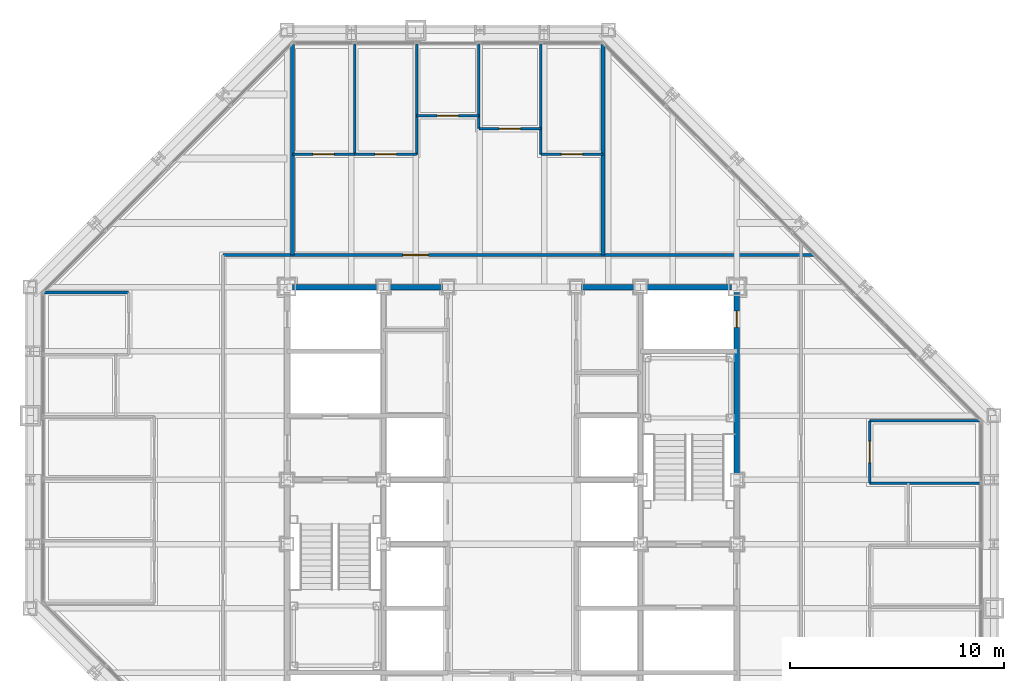
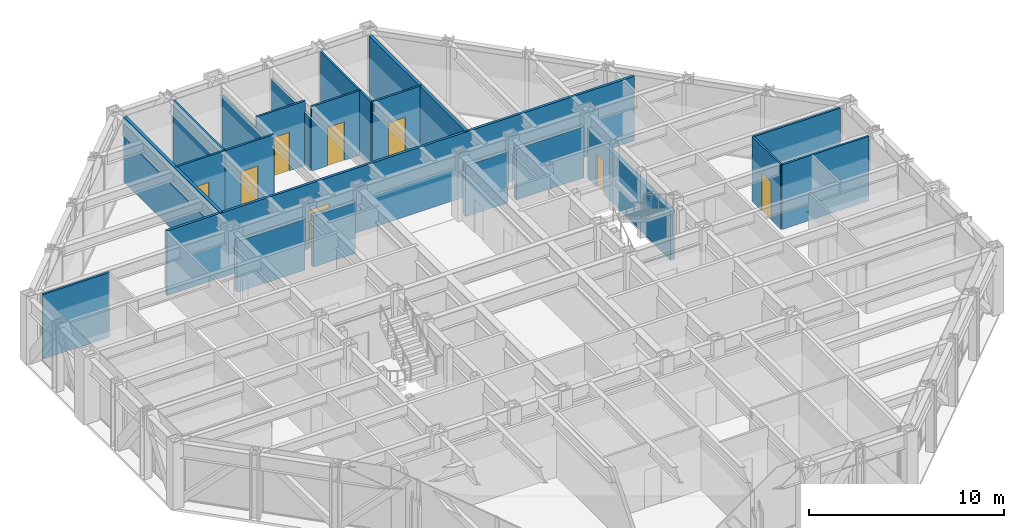
# One storey, part 13 of 16: 21 walls, 8 doors, 8 openings.
"""IFC4 building model written with IfcOpenShell, lengths in metres."""

from ifc_helpers import new_model, si_unit, direction, frame, frame_2d, origin, place, context, subcontext, project, spatial, rectangle, extrude, material, layer, layer_set, type_object, element, fill, save


model = new_model("IFC4")

# Units and contexts
model_context = context("Model", 3, precision=1e-05, world=origin(), true_north=direction((0.0, 1.0)))
body_context = subcontext(model_context, "Body", "Model", "MODEL_VIEW")
ifc_project = project(units=[si_unit("LENGTHUNIT", "METRE"), si_unit("AREAUNIT", "SQUARE_METRE"), si_unit("VOLUMEUNIT", "CUBIC_METRE"), si_unit("PLANEANGLEUNIT", "RADIAN"), si_unit("MASSUNIT", "GRAM", prefix="KILO")], contexts=[model_context])

# Site, building, storey
site_placement = place(None, origin())
site = spatial("IfcSite", under=ifc_project, at=site_placement, CompositionType="ELEMENT")
building_placement = place(site_placement, origin())
building = spatial("IfcBuilding", under=site, at=building_placement, Name="Chuquiago Exchange Tower", CompositionType="ELEMENT")
storey_placement = place(building_placement, frame((0.0, 0.0, 205.5)))
storey = spatial("IfcBuildingStorey", under=building, at=storey_placement, Name="L45", CompositionType="ELEMENT", Elevation=205.5)

# Walls
ifc_material_1 = material(Name="Concrete masonry, fully grouted", Category="masonry")
ifc_layer_1 = layer(ifc_material_1, 0.25)
ifc_layer_set_1 = layer_set([ifc_layer_1], Name="W1 core wall 250")
wall_type_1 = type_object("IfcWallType", Name="W1 core wall 250", PredefinedType="SOLIDWALL", material=ifc_layer_set_1)
wall_1_placement = place(storey_placement, frame((12.25, 33.0, 0.0), z_axis=(0.0, 0.0, 1.0), x_axis=(1.0, 0.0, 0.0)))
element("IfcWall", 1, at=wall_1_placement, inside=storey, type_object=wall_type_1, Name="CW-L45-11-0", PredefinedType="SOLIDWALL", context=body_context, shape_type="SweptSolid", body=[
    extrude(rectangle(XDim=4.0, YDim=0.25, at=frame_2d((2.0, 0.0))), origin(), (0.0, 0.0, 1.0), 3.181396484375),
])
for number, where, z_axis, x_axis, name in (
    (2, (16.75, 33.0, 0.0), (0.0, 0.0, 1.0), (1.0, 0.0, 0.0), "CW-L45-11-1"),
    (3, (25.75, 33.0, 0.0), (0.0, 0.0, 1.0), (1.0, 0.0, 0.0), "CW-L45-12-0"),
):
    element("IfcWall", number, at=place(storey_placement, frame(where, z_axis=z_axis, x_axis=x_axis)), inside=storey, type_object=wall_type_1, Name=name, PredefinedType="SOLIDWALL", context=body_context, shape_type="SweptSolid", body=[
        extrude(rectangle(XDim=2.5, YDim=0.25, at=frame_2d((1.25, 0.0))), origin(), (0.0, 0.0, 1.0), 3.181396484375),
    ])
wall_2_placement = place(storey_placement, frame((28.75, 33.0, 0.0), z_axis=(0.0, 0.0, 1.0), x_axis=(1.0, 0.0, 0.0)))
element("IfcWall", 4, at=wall_2_placement, inside=storey, type_object=wall_type_1, Name="CW-L45-12-1", PredefinedType="SOLIDWALL", context=body_context, shape_type="SweptSolid", body=[
    extrude(rectangle(XDim=4.0, YDim=0.25, at=frame_2d((2.0, 0.0))), origin(), (0.0, 0.0, 1.0), 3.181396484375),
])

# Wall, opening, door
wall_3_placement = place(storey_placement, frame((33.0, 24.25, 0.0), z_axis=(0.0, 0.0, 1.0), x_axis=(0.0, 1.0, 0.0)))
wall_3 = element("IfcWall", 5, at=wall_3_placement, inside=storey, type_object=wall_type_1, Name="CW-L45-25-2", PredefinedType="SOLIDWALL", context=body_context, shape_type="SweptSolid", body=[
    extrude(rectangle(XDim=8.5, YDim=0.25, at=frame_2d((4.25, 0.0))), origin(), (0.0, 0.0, 1.0), 3.11279296875),
])
opening_1_placement = place(wall_3_placement, frame((6.875, 0.0, 0.0)))
opening_1 = element("IfcOpeningElement", 6, at=opening_1_placement, cuts=wall_3, Name="Opening L45-010", PredefinedType="OPENING", context=body_context, shape_type="SweptSolid", body=[
    extrude(rectangle(XDim=0.75, YDim=2.10009765625, at=frame_2d((0.375, 1.050048828125))), frame((0.0, 0.135009765625, 0.0), z_axis=(0.0, -1.0, 0.0), x_axis=(1.0, 0.0, 0.0)), (0.0, 0.0, 1.0), 0.27001953125),
])
ifc_material_2 = material(Name="Steel door, painted", Category="steel")
door_type_1 = type_object("IfcDoorType", Name="D6 riser access door 750x2100", OperationType="SINGLE_SWING_LEFT", PredefinedType="DOOR", material=ifc_material_2)
door_1_placement = place(opening_1_placement, frame((0.75, 0.0, 0.0), z_axis=(0.0, 0.0, 1.0), x_axis=(-1.0, 0.0, 0.0)))
door_1 = element("IfcDoor", 7, at=door_1_placement, inside=storey, type_object=door_type_1, Name="Riser RE2 door", OperationType="SINGLE_SWING_LEFT", OverallHeight=2.10009765625, OverallWidth=0.75, PredefinedType="DOOR", context=body_context, shape_type="SweptSolid", body=[
    extrude(rectangle(XDim=0.75, YDim=2.10009765625, at=frame_2d((0.375, 1.050048828125))), frame((0.0, 0.02490234375, 0.0), z_axis=(0.0, -1.0, 0.0), x_axis=(1.0, 0.0, 0.0)), (0.0, 0.0, 1.0), 0.050048828125),
])
fill(opening_1, door_1)

ifc_material_3 = material(Name="Gypsum board on steel studs, acoustic insulation", Category="steel")
ifc_layer_2 = layer(ifc_material_3, 0.14990234375)
ifc_layer_set_2 = layer_set([ifc_layer_2], Name="W11 corridor wall 150")
wall_type_2 = type_object("IfcWallType", Name="W11 corridor wall 150", PredefinedType="PARTITIONING", material=ifc_layer_set_2)
wall_4_placement = place(storey_placement, frame((9.0, 34.5, 0.0), z_axis=(0.0, 0.0, 1.0), x_axis=(1.0, 0.0, 0.0)))
wall_4 = element("IfcWall", 8, at=wall_4_placement, inside=storey, type_object=wall_type_2, Name="PW-L45-CN", PredefinedType="PARTITIONING", context=body_context, shape_type="SweptSolid", body=[
    extrude(rectangle(XDim=27.614501953125, YDim=0.14990234375, at=frame_2d((13.80712890625, 0.0))), origin(), (0.0, 0.0, 1.0), 4.0400390625),
])
opening_2_placement = place(wall_4_placement, frame((8.39990234375, 0.0, 0.0)))
opening_2 = element("IfcOpeningElement", 9, at=opening_2_placement, cuts=wall_4, Name="Opening L45-040", PredefinedType="OPENING", context=body_context, shape_type="SweptSolid", body=[
    extrude(rectangle(XDim=1.199951171875, YDim=2.39990234375, at=frame_2d((0.60009765625, 1.199951171875))), frame((0.0, 0.0849609375, 0.0), z_axis=(0.0, -1.0, 0.0), x_axis=(1.0, 0.0, 0.0)), (0.0, 0.0, 1.0), 0.169921875),
])
ifc_material_4 = material(Name="Timber door, laminate faced", Category="wood")
door_type_2 = type_object("IfcDoorType", Name="D13 suite entrance door 1200x2400", OperationType="SINGLE_SWING_LEFT", PredefinedType="DOOR", material=ifc_material_4)
door_2_placement = place(opening_2_placement, origin())
door_2 = element("IfcDoor", 10, at=door_2_placement, inside=storey, type_object=door_type_2, Name="North suite entrance door", OperationType="SINGLE_SWING_LEFT", OverallHeight=2.39990234375, OverallWidth=1.199951171875, PredefinedType="DOOR", context=body_context, shape_type="SweptSolid", body=[
    extrude(rectangle(XDim=1.199951171875, YDim=2.39990234375, at=frame_2d((0.60009765625, 1.199951171875))), frame((0.0, 0.02490234375, 0.0), z_axis=(0.0, -1.0, 0.0), x_axis=(1.0, 0.0, 0.0)), (0.0, 0.0, 1.0), 0.050048828125),
])
fill(opening_2, door_2)

# Walls
ifc_material_5 = material(Name="Gypsum board on twin steel studs, acoustic insulation", Category="steel")
ifc_layer_3 = layer(ifc_material_5, 0.175048828125)
ifc_layer_set_3 = layer_set([ifc_layer_3], Name="W12 tenant demising wall 175")
wall_type_3 = type_object("IfcWallType", Name="W12 tenant demising wall 175", PredefinedType="PARTITIONING", material=ifc_layer_set_3)
for number, where, z_axis, x_axis, name in (
    (11, (12.24853515625, 44.333984375, 0.0), (0.0, 0.0, 1.0), (0.0, -1.0, 0.0), "PW-L45-DN01225"),
    (12, (26.75146484375, 44.333984375, 0.0), (0.0, 0.0, 1.0), (0.0, -1.0, 0.0), "PW-L45-DN02675"),
):
    element("IfcWall", number, at=place(storey_placement, frame(where, z_axis=z_axis, x_axis=x_axis)), inside=storey, type_object=wall_type_3, Name=name, PredefinedType="PARTITIONING", context=body_context, shape_type="SweptSolid", body=[
        extrude(rectangle(XDim=9.833984375, YDim=0.175048828125, at=frame_2d((4.9169921875, 0.0))), origin(), (0.0, 0.0, 1.0), 4.0400390625),
    ])
ifc_material_6 = material(Name="Gypsum board on steel studs", Category="steel")
ifc_layer_4 = layer(ifc_material_6, 0.1201171875)
ifc_layer_set_4 = layer_set([ifc_layer_4], Name="W4 partition 120")
wall_type_4 = type_object("IfcWallType", Name="W4 partition 120", PredefinedType="PARTITIONING", material=ifc_layer_set_4)
wall_5_placement = place(storey_placement, frame((44.347412109375, 23.850830078125, 0.0), z_axis=(0.0, 0.0, 1.0), x_axis=(-1.0, 0.0, 0.0)))
element("IfcWall", 13, at=wall_5_placement, inside=storey, type_object=wall_type_4, Name="PW-L45-E02385", PredefinedType="PARTITIONING", context=body_context, shape_type="SweptSolid", body=[
    extrude(rectangle(XDim=5.1474609375, YDim=0.1201171875, at=frame_2d((2.57373046875, 0.0))), origin(), (0.0, 0.0, 1.0), 4.0400390625),
])
wall_6_placement = place(storey_placement, frame((44.333984375, 26.75146484375, 0.0), z_axis=(0.0, 0.0, 1.0), x_axis=(-1.0, 0.0, 0.0)))
element("IfcWall", 14, at=wall_6_placement, inside=storey, type_object=wall_type_4, Name="PW-L45-E02675", PredefinedType="PARTITIONING", context=body_context, shape_type="SweptSolid", body=[
    extrude(rectangle(XDim=5.134033203125, YDim=0.1201171875, at=frame_2d((2.56689453125, 0.0))), origin(), (0.0, 0.0, 1.0), 4.0400390625),
])

# Wall, opening, door
wall_7_placement = place(storey_placement, frame((39.199951171875, 23.850830078125, 0.0), z_axis=(0.0, 0.0, 1.0), x_axis=(0.0, 1.0, 0.0)))
wall_7 = element("IfcWall", 15, at=wall_7_placement, inside=storey, type_object=wall_type_4, Name="PW-L45-EF02385", PredefinedType="PARTITIONING", context=body_context, shape_type="SweptSolid", body=[
    extrude(rectangle(XDim=2.900634765625, YDim=0.1201171875, at=frame_2d((1.4501953125, 0.0))), origin(), (0.0, 0.0, 1.0), 4.0400390625),
])
opening_3_placement = place(wall_7_placement, frame((0.9501953125, 0.0, 0.0)))
opening_3 = element("IfcOpeningElement", 16, at=opening_3_placement, cuts=wall_7, Name="Opening L45-028", PredefinedType="OPENING", context=body_context, shape_type="SweptSolid", body=[
    extrude(rectangle(XDim=1.0, YDim=2.39990234375, at=frame_2d((0.5, 1.199951171875))), frame((0.0, 0.070068359375, 0.0), z_axis=(0.0, -1.0, 0.0), x_axis=(1.0, 0.0, 0.0)), (0.0, 0.0, 1.0), 0.14013671875),
])
ifc_material_7 = material(Name="Timber frame door, full height glazed panel", Category="wood")
door_type_3 = type_object("IfcDoorType", Name="D14 glazed meeting room door 1000x2400", OperationType="SINGLE_SWING_LEFT", PredefinedType="DOOR", material=ifc_material_7)
door_3_placement = place(opening_3_placement, frame((1.0, 0.0, 0.0), z_axis=(0.0, 0.0, 1.0), x_axis=(-1.0, 0.0, 0.0)))
door_3 = element("IfcDoor", 17, at=door_3_placement, inside=storey, type_object=door_type_3, Name="Meeting room door", OperationType="SINGLE_SWING_RIGHT", OverallHeight=2.39990234375, OverallWidth=1.0, PredefinedType="DOOR", context=body_context, shape_type="SweptSolid", body=[
    extrude(rectangle(XDim=1.0, YDim=2.39990234375, at=frame_2d((0.5, 1.199951171875))), frame((0.0, 0.02490234375, 0.0), z_axis=(0.0, -1.0, 0.0), x_axis=(1.0, 0.0, 0.0)), (0.0, 0.0, 1.0), 0.050048828125),
])
fill(opening_3, door_3)

# Walls
wall_8_placement = place(storey_placement, frame((15.149169921875, 44.347412109375, 0.0), z_axis=(0.0, 0.0, 1.0), x_axis=(0.0, -1.0, 0.0)))
element("IfcWall", 18, at=wall_8_placement, inside=storey, type_object=wall_type_4, Name="PW-L45-N01515", PredefinedType="PARTITIONING", context=body_context, shape_type="SweptSolid", body=[
    extrude(rectangle(XDim=5.1474609375, YDim=0.1201171875, at=frame_2d((2.57373046875, 0.0))), origin(), (0.0, 0.0, 1.0), 4.0400390625),
])
wall_9_placement = place(storey_placement, frame((18.0498046875, 44.347412109375, 0.0), z_axis=(0.0, 0.0, 1.0), x_axis=(0.0, -1.0, 0.0)))
element("IfcWall", 19, at=wall_9_placement, inside=storey, type_object=wall_type_4, Name="PW-L45-N01805", PredefinedType="PARTITIONING", context=body_context, shape_type="SweptSolid", body=[
    extrude(rectangle(XDim=5.1474609375, YDim=0.1201171875, at=frame_2d((2.57373046875, 0.0))), origin(), (0.0, 0.0, 1.0), 3.356689453125),
])
wall_10_placement = place(storey_placement, frame((20.9501953125, 44.347412109375, 0.0), z_axis=(0.0, 0.0, 1.0), x_axis=(0.0, -1.0, 0.0)))
element("IfcWall", 20, at=wall_10_placement, inside=storey, type_object=wall_type_4, Name="PW-L45-N02095", PredefinedType="PARTITIONING", context=body_context, shape_type="SweptSolid", body=[
    extrude(rectangle(XDim=3.947509765625, YDim=0.1201171875, at=frame_2d((1.9736328125, 0.0))), origin(), (0.0, 0.0, 1.0), 3.356689453125),
])
wall_11_placement = place(storey_placement, frame((23.850830078125, 44.347412109375, 0.0), z_axis=(0.0, 0.0, 1.0), x_axis=(0.0, -1.0, 0.0)))
element("IfcWall", 21, at=wall_11_placement, inside=storey, type_object=wall_type_4, Name="PW-L45-N02385", PredefinedType="PARTITIONING", context=body_context, shape_type="SweptSolid", body=[
    extrude(rectangle(XDim=5.1474609375, YDim=0.1201171875, at=frame_2d((2.57373046875, 0.0))), origin(), (0.0, 0.0, 1.0), 4.0400390625),
])

# Wall, opening, door
wall_12_placement = place(storey_placement, frame((12.24853515625, 39.199951171875, 0.0), z_axis=(0.0, 0.0, 1.0), x_axis=(1.0, 0.0, 0.0)))
wall_12 = element("IfcWall", 22, at=wall_12_placement, inside=storey, type_object=wall_type_4, Name="PW-L45-NF01225", PredefinedType="PARTITIONING", context=body_context, shape_type="SweptSolid", body=[
    extrude(rectangle(XDim=2.900634765625, YDim=0.1201171875, at=frame_2d((1.4501953125, 0.0))), origin(), (0.0, 0.0, 1.0), 4.0400390625),
])
opening_4_placement = place(wall_12_placement, frame((0.9501953125, 0.0, 0.0)))
opening_4 = element("IfcOpeningElement", 23, at=opening_4_placement, cuts=wall_12, Name="Opening L45-029", PredefinedType="OPENING", context=body_context, shape_type="SweptSolid", body=[
    extrude(rectangle(XDim=1.0, YDim=2.39990234375, at=frame_2d((0.5, 1.199951171875))), frame((0.0, 0.070068359375, 0.0), z_axis=(0.0, -1.0, 0.0), x_axis=(1.0, 0.0, 0.0)), (0.0, 0.0, 1.0), 0.14013671875),
])
ifc_material_8 = material(Name="Timber door, laminate faced", Category="wood")
door_type_4 = type_object("IfcDoorType", Name="D9 room door 1000x2400", OperationType="SINGLE_SWING_LEFT", PredefinedType="DOOR", material=ifc_material_8)
door_4_placement = place(opening_4_placement, origin())
door_4 = element("IfcDoor", 24, at=door_4_placement, inside=storey, type_object=door_type_4, Name="Office door", OperationType="SINGLE_SWING_LEFT", OverallHeight=2.39990234375, OverallWidth=1.0, PredefinedType="DOOR", context=body_context, shape_type="SweptSolid", body=[
    extrude(rectangle(XDim=1.0, YDim=2.39990234375, at=frame_2d((0.5, 1.199951171875))), frame((0.0, 0.02490234375, 0.0), z_axis=(0.0, -1.0, 0.0), x_axis=(1.0, 0.0, 0.0)), (0.0, 0.0, 1.0), 0.050048828125),
])
fill(opening_4, door_4)

wall_13_placement = place(storey_placement, frame((15.149169921875, 39.199951171875, 0.0), z_axis=(0.0, 0.0, 1.0), x_axis=(1.0, 0.0, 0.0)))
wall_13 = element("IfcWall", 25, at=wall_13_placement, inside=storey, type_object=wall_type_4, Name="PW-L45-NF01515", PredefinedType="PARTITIONING", context=body_context, shape_type="SweptSolid", body=[
    extrude(rectangle(XDim=2.900634765625, YDim=0.1201171875, at=frame_2d((1.4501953125, 0.0))), origin(), (0.0, 0.0, 1.0), 4.0400390625),
])
opening_5_placement = place(wall_13_placement, frame((0.9501953125, 0.0, 0.0)))
opening_5 = element("IfcOpeningElement", 26, at=opening_5_placement, cuts=wall_13, Name="Opening L45-030", PredefinedType="OPENING", context=body_context, shape_type="SweptSolid", body=[
    extrude(rectangle(XDim=1.0, YDim=2.39990234375, at=frame_2d((0.5, 1.199951171875))), frame((0.0, 0.070068359375, 0.0), z_axis=(0.0, -1.0, 0.0), x_axis=(1.0, 0.0, 0.0)), (0.0, 0.0, 1.0), 0.14013671875),
])
door_5_placement = place(opening_5_placement, origin())
door_5 = element("IfcDoor", 27, at=door_5_placement, inside=storey, type_object=door_type_4, Name="Office door", OperationType="SINGLE_SWING_LEFT", OverallHeight=2.39990234375, OverallWidth=1.0, PredefinedType="DOOR", context=body_context, shape_type="SweptSolid", body=[
    extrude(rectangle(XDim=1.0, YDim=2.39990234375, at=frame_2d((0.5, 1.199951171875))), frame((0.0, 0.02490234375, 0.0), z_axis=(0.0, -1.0, 0.0), x_axis=(1.0, 0.0, 0.0)), (0.0, 0.0, 1.0), 0.050048828125),
])
fill(opening_5, door_5)

wall_14_placement = place(storey_placement, frame((18.0498046875, 41.0, 0.0), z_axis=(0.0, 0.0, 1.0), x_axis=(1.0, 0.0, 0.0)))
wall_14 = element("IfcWall", 28, at=wall_14_placement, inside=storey, type_object=wall_type_4, Name="PW-L45-NF01805", PredefinedType="PARTITIONING", context=body_context, shape_type="SweptSolid", body=[
    extrude(rectangle(XDim=2.900390625, YDim=0.1201171875, at=frame_2d((1.4501953125, 0.0))), origin(), (0.0, 0.0, 1.0), 4.0400390625),
])
opening_6_placement = place(wall_14_placement, frame((0.9501953125, 0.0, 0.0)))
opening_6 = element("IfcOpeningElement", 29, at=opening_6_placement, cuts=wall_14, Name="Opening L45-031", PredefinedType="OPENING", context=body_context, shape_type="SweptSolid", body=[
    extrude(rectangle(XDim=1.0, YDim=2.39990234375, at=frame_2d((0.5, 1.199951171875))), frame((0.0, 0.070068359375, 0.0), z_axis=(0.0, -1.0, 0.0), x_axis=(1.0, 0.0, 0.0)), (0.0, 0.0, 1.0), 0.14013671875),
])
door_6_placement = place(opening_6_placement, origin())
door_6 = element("IfcDoor", 30, at=door_6_placement, inside=storey, type_object=door_type_3, Name="Focus room door", OperationType="SINGLE_SWING_RIGHT", OverallHeight=2.39990234375, OverallWidth=1.0, PredefinedType="DOOR", context=body_context, shape_type="SweptSolid", body=[
    extrude(rectangle(XDim=1.0, YDim=2.39990234375, at=frame_2d((0.5, 1.199951171875))), frame((0.0, 0.02490234375, 0.0), z_axis=(0.0, -1.0, 0.0), x_axis=(1.0, 0.0, 0.0)), (0.0, 0.0, 1.0), 0.050048828125),
])
fill(opening_6, door_6)

wall_15_placement = place(storey_placement, frame((20.9501953125, 40.39990234375, 0.0), z_axis=(0.0, 0.0, 1.0), x_axis=(1.0, 0.0, 0.0)))
wall_15 = element("IfcWall", 31, at=wall_15_placement, inside=storey, type_object=wall_type_4, Name="PW-L45-NF02095", PredefinedType="PARTITIONING", context=body_context, shape_type="SweptSolid", body=[
    extrude(rectangle(XDim=2.900634765625, YDim=0.1201171875, at=frame_2d((1.4501953125, 0.0))), origin(), (0.0, 0.0, 1.0), 4.0400390625),
])
opening_7_placement = place(wall_15_placement, frame((0.9501953125, 0.0, 0.0)))
opening_7 = element("IfcOpeningElement", 32, at=opening_7_placement, cuts=wall_15, Name="Opening L45-032", PredefinedType="OPENING", context=body_context, shape_type="SweptSolid", body=[
    extrude(rectangle(XDim=1.0, YDim=2.39990234375, at=frame_2d((0.5, 1.199951171875))), frame((0.0, 0.070068359375, 0.0), z_axis=(0.0, -1.0, 0.0), x_axis=(1.0, 0.0, 0.0)), (0.0, 0.0, 1.0), 0.14013671875),
])
door_7_placement = place(opening_7_placement, origin())
door_7 = element("IfcDoor", 33, at=door_7_placement, inside=storey, type_object=door_type_4, Name="Pantry door", OperationType="SINGLE_SWING_LEFT", OverallHeight=2.39990234375, OverallWidth=1.0, PredefinedType="DOOR", context=body_context, shape_type="SweptSolid", body=[
    extrude(rectangle(XDim=1.0, YDim=2.39990234375, at=frame_2d((0.5, 1.199951171875))), frame((0.0, 0.02490234375, 0.0), z_axis=(0.0, -1.0, 0.0), x_axis=(1.0, 0.0, 0.0)), (0.0, 0.0, 1.0), 0.050048828125),
])
fill(opening_7, door_7)

wall_16_placement = place(storey_placement, frame((23.850830078125, 39.199951171875, 0.0), z_axis=(0.0, 0.0, 1.0), x_axis=(1.0, 0.0, 0.0)))
wall_16 = element("IfcWall", 34, at=wall_16_placement, inside=storey, type_object=wall_type_4, Name="PW-L45-NF02385", PredefinedType="PARTITIONING", context=body_context, shape_type="SweptSolid", body=[
    extrude(rectangle(XDim=2.900634765625, YDim=0.1201171875, at=frame_2d((1.4501953125, 0.0))), origin(), (0.0, 0.0, 1.0), 4.0400390625),
])
opening_8_placement = place(wall_16_placement, frame((0.9501953125, 0.0, 0.0)))
opening_8 = element("IfcOpeningElement", 35, at=opening_8_placement, cuts=wall_16, Name="Opening L45-033", PredefinedType="OPENING", context=body_context, shape_type="SweptSolid", body=[
    extrude(rectangle(XDim=1.0, YDim=2.39990234375, at=frame_2d((0.5, 1.199951171875))), frame((0.0, 0.070068359375, 0.0), z_axis=(0.0, -1.0, 0.0), x_axis=(1.0, 0.0, 0.0)), (0.0, 0.0, 1.0), 0.14013671875),
])
door_8_placement = place(opening_8_placement, origin())
door_8 = element("IfcDoor", 36, at=door_8_placement, inside=storey, type_object=door_type_3, Name="Meeting room door", OperationType="SINGLE_SWING_RIGHT", OverallHeight=2.39990234375, OverallWidth=1.0, PredefinedType="DOOR", context=body_context, shape_type="SweptSolid", body=[
    extrude(rectangle(XDim=1.0, YDim=2.39990234375, at=frame_2d((0.5, 1.199951171875))), frame((0.0, 0.02490234375, 0.0), z_axis=(0.0, -1.0, 0.0), x_axis=(1.0, 0.0, 0.0)), (0.0, 0.0, 1.0), 0.050048828125),
])
fill(opening_8, door_8)

# Wall
wall_17_placement = place(storey_placement, frame((0.666015625, 32.75146484375, 0.0), z_axis=(0.0, 0.0, 1.0), x_axis=(1.0, 0.0, 0.0)))
element("IfcWall", 37, at=wall_17_placement, inside=storey, type_object=wall_type_4, Name="PW-L45-W03275", PredefinedType="PARTITIONING", context=body_context, shape_type="SweptSolid", body=[
    extrude(rectangle(XDim=3.93408203125, YDim=0.1201171875, at=frame_2d((1.967041015625, 0.0))), origin(), (0.0, 0.0, 1.0), 4.0400390625),
])

save(model, "model.ifc")
